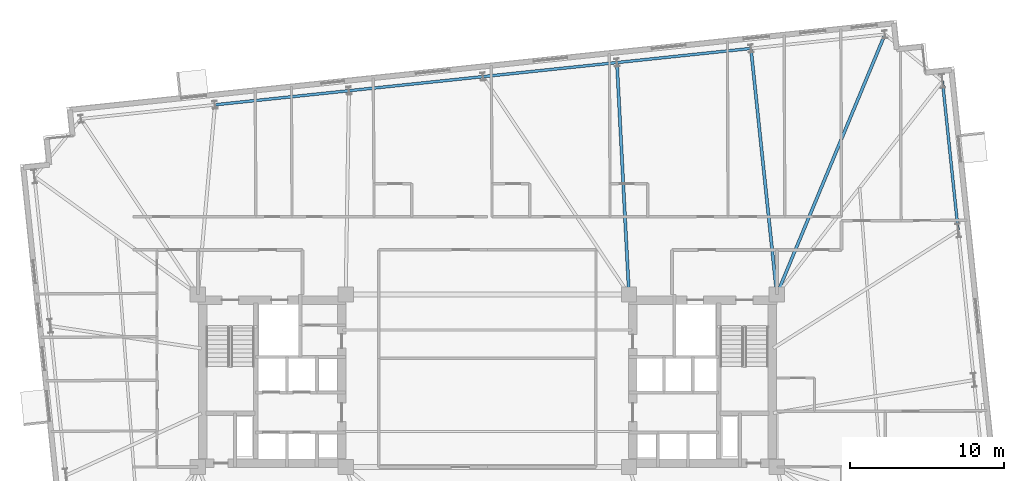
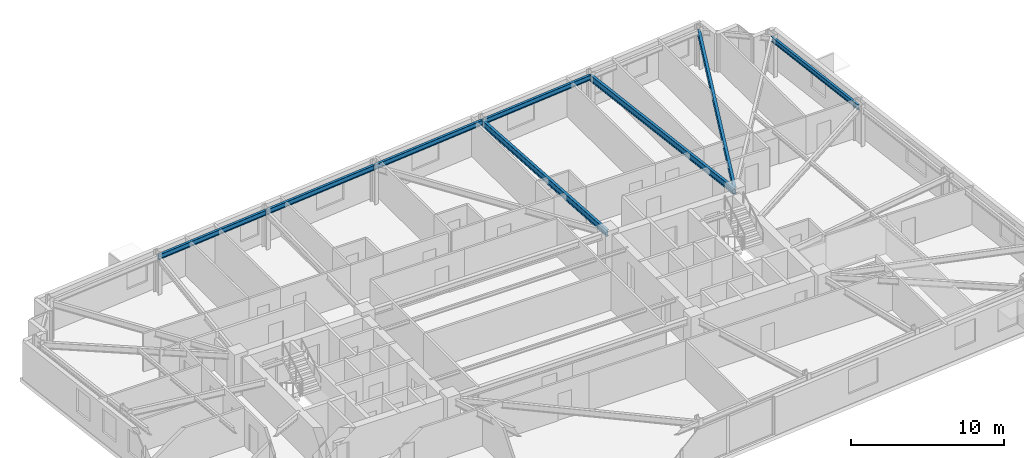
# One storey, part 13 of 23: 8 beams.
"""IFC4 building model written with IfcOpenShell, lengths in metres."""

from ifc_helpers import new_model, si_unit, direction, frame, origin, origin_2d, place, context, subcontext, project, spatial, i_section, extrude, material, material_profile, profile_set, type_object, element, save


model = new_model("IFC4")

# Units and contexts
model_context = context("Model", 3, precision=1e-05, world=origin(), true_north=direction((0.0, 1.0)))
body_context = subcontext(model_context, "Body", "Model", "MODEL_VIEW")
ifc_project = project(units=[si_unit("LENGTHUNIT", "METRE"), si_unit("AREAUNIT", "SQUARE_METRE"), si_unit("VOLUMEUNIT", "CUBIC_METRE"), si_unit("PLANEANGLEUNIT", "RADIAN"), si_unit("MASSUNIT", "GRAM", prefix="KILO")], contexts=[model_context])

# Site, building, storey
site_placement = place(None, origin())
site = spatial("IfcSite", under=ifc_project, at=site_placement, CompositionType="ELEMENT")
building_placement = place(site_placement, origin())
building = spatial("IfcBuilding", under=site, at=building_placement, Name="Qobustan Lattice House", CompositionType="ELEMENT")
storey_placement = place(building_placement, frame((0.0, 0.0, 102.449951171875)))
storey = spatial("IfcBuildingStorey", under=building, at=storey_placement, Name="L28", CompositionType="ELEMENT", Elevation=102.449951171875)

# Beams
ifc_material_1 = material(Name="Steel S355", Category="steel")
ifc_material_profile_1 = material_profile(ifc_material_1, i_section(OverallWidth=0.199951171875, OverallDepth=0.5, WebThickness=0.01025390625, FlangeThickness=0.01611328125, FilletRadius=0.02099609375, at=origin_2d()), Name="IPE500")
ifc_profile_set_1 = profile_set([ifc_material_profile_1], Name="Steel S355")
beam_type_1 = type_object("IfcBeamType", Name="BM-FLG-IPE500", PredefinedType="USERDEFINED", material=ifc_profile_set_1)
beam_1_placement = place(storey_placement, frame((8.41650390625, 20.640625, 2.795166015625), z_axis=(0.052023629628, -0.998645854125, 0.0), x_axis=(0.998645854125, 0.052023629628, 0.0)))
element("IfcBeam", 1, at=beam_1_placement, inside=storey, type_object=beam_type_1, Name="L28 primary floor girder RAD-N3", ObjectType="GIRDER", PredefinedType="USERDEFINED", context=body_context, shape_type="SweptSolid", body=[
    extrude(i_section(OverallWidth=0.199951171875, OverallDepth=0.5, WebThickness=0.01025390625, FlangeThickness=0.01611328125, FilletRadius=0.02099609375, at=origin_2d()), origin(), (0.0, 0.0, 1.0), 15.035888671875),
])
beam_2_placement = place(storey_placement, frame((17.1201171875, 21.555419921875, 2.795166015625), z_axis=(0.104706999053, -0.994503114298, 0.0), x_axis=(0.994503114298, 0.104706999053, 0.0)))
element("IfcBeam", 2, at=beam_2_placement, inside=storey, type_object=beam_type_1, Name="L28 primary floor girder RAD-N2", ObjectType="GIRDER", PredefinedType="USERDEFINED", context=body_context, shape_type="SweptSolid", body=[
    extrude(i_section(OverallWidth=0.199951171875, OverallDepth=0.5, WebThickness=0.01025390625, FlangeThickness=0.01611328125, FilletRadius=0.02099609375, at=origin_2d()), origin(), (0.0, 0.0, 1.0), 16.0185546875),
])
beam_3_placement = place(storey_placement, frame((25.809814453125, 22.471923828125, 2.795166015625), z_axis=(-0.383675501465, -0.923467979724, 0.0), x_axis=(0.923467979724, -0.383675501465, 0.0)))
element("IfcBeam", 3, at=beam_3_placement, inside=storey, type_object=beam_type_1, Name="L28 primary floor girder RAD-N1E", ObjectType="GIRDER", PredefinedType="USERDEFINED", context=body_context, shape_type="SweptSolid", body=[
    extrude(i_section(OverallWidth=0.199951171875, OverallDepth=0.5, WebThickness=0.01025390625, FlangeThickness=0.01611328125, FilletRadius=0.02099609375, at=origin_2d()), origin(), (0.0, 0.0, 1.0), 18.2451171875),
])
ifc_material_2 = material(Name="Steel S355", Category="steel")
ifc_material_profile_2 = material_profile(ifc_material_2, i_section(OverallWidth=0.179931640625, OverallDepth=0.39990234375, WebThickness=0.008544921875, FlangeThickness=0.013427734375, FilletRadius=0.02099609375, at=origin_2d()), Name="IPE400")
ifc_profile_set_2 = profile_set([ifc_material_profile_2], Name="Steel S355")
beam_type_2 = type_object("IfcBeamType", Name="BM-SPD-IPE400", PredefinedType="SPANDREL", material=ifc_profile_set_2)
beam_4_placement = place(storey_placement, frame((30.574462890625, 9.78076171875, 2.844970703125), z_axis=(-0.104525214252, 0.994522236848, 0.0), x_axis=(-0.994522236848, -0.104525214252, 0.0)))
element("IfcBeam", 4, at=beam_4_placement, inside=storey, type_object=beam_type_2, Name="L28 perimeter spandrel E3-E4", PredefinedType="SPANDREL", context=body_context, shape_type="SweptSolid", body=[
    extrude(i_section(OverallWidth=0.179931640625, OverallDepth=0.39990234375, WebThickness=0.008544921875, FlangeThickness=0.013427734375, FilletRadius=0.02099609375, at=origin_2d()), origin(), (0.0, 0.0, 1.0), 9.716552734375),
])
beam_5_placement = place(storey_placement, frame((17.092529296875, 21.577880859375, 2.844970703125), z_axis=(-0.994518668742, -0.104559158006, 0.0), x_axis=(0.104559158006, -0.994518668742, 0.0)))
element("IfcBeam", 5, at=beam_5_placement, inside=storey, type_object=beam_type_2, Name="L28 perimeter spandrel N2-N3", PredefinedType="SPANDREL", context=body_context, shape_type="SweptSolid", body=[
    extrude(i_section(OverallWidth=0.179931640625, OverallDepth=0.39990234375, WebThickness=0.008544921875, FlangeThickness=0.013427734375, FilletRadius=0.02099609375, at=origin_2d()), origin(), (0.0, 0.0, 1.0), 8.699951171875),
])
beam_6_placement = place(storey_placement, frame((8.390380859375, 20.6630859375, 2.844970703125), z_axis=(-0.994521279781, -0.10453432002, 0.0), x_axis=(0.10453432002, -0.994521279781, 0.0)))
element("IfcBeam", 6, at=beam_6_placement, inside=storey, type_object=beam_type_2, Name="L28 perimeter spandrel N3-N4", PredefinedType="SPANDREL", context=body_context, shape_type="SweptSolid", body=[
    extrude(i_section(OverallWidth=0.179931640625, OverallDepth=0.39990234375, WebThickness=0.008544921875, FlangeThickness=0.013427734375, FilletRadius=0.02099609375, at=origin_2d()), origin(), (0.0, 0.0, 1.0), 8.69970703125),
])
for number, where, z_axis, x_axis, name in (
    (7, (-0.3115234375, 19.74853515625, 2.844970703125), (-0.994521586424, -0.104531402636, 0.0), (0.104531402636, -0.994521586424, 0.0), "L28 perimeter spandrel N4-N5"),
    (8, (-9.013671875, 18.833984375, 2.844970703125), (-0.994521586424, -0.104531402636, 0.0), (0.104531402636, -0.994521586424, 0.0), "L28 perimeter spandrel N5-N6"),
):
    element("IfcBeam", number, at=place(storey_placement, frame(where, z_axis=z_axis, x_axis=x_axis)), inside=storey, type_object=beam_type_2, Name=name, PredefinedType="SPANDREL", context=body_context, shape_type="SweptSolid", body=[
        extrude(i_section(OverallWidth=0.179931640625, OverallDepth=0.39990234375, WebThickness=0.008544921875, FlangeThickness=0.013427734375, FilletRadius=0.02099609375, at=origin_2d()), origin(), (0.0, 0.0, 1.0), 8.699951171875),
    ])

save(model, "model.ifc")
